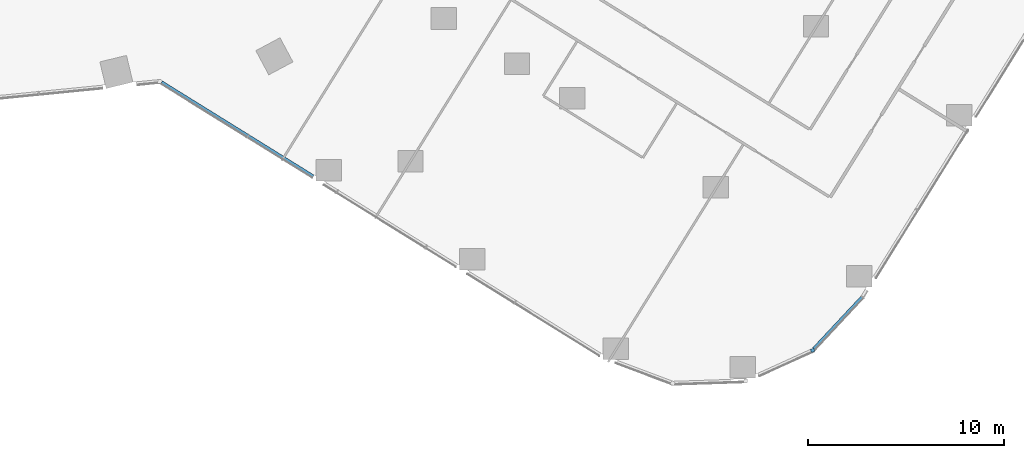
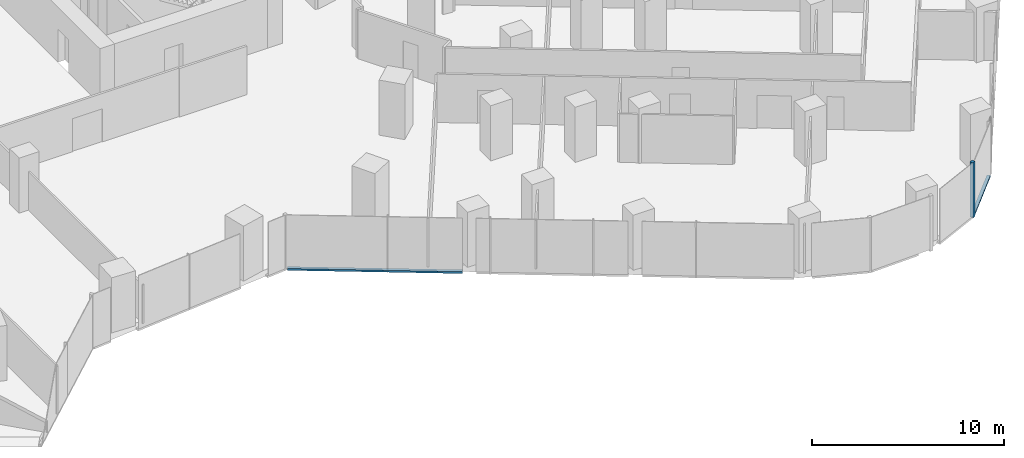
# One storey, part 8 of 33: 3 members, 3 elements without a shape of their own.
"""IFC4 building model written with IfcOpenShell, lengths in metres."""

from ifc_helpers import new_model, si_unit, direction, frame, origin, origin_2d, place, context, subcontext, project, spatial, rectangle, extrude, material, material_profile, profile_set, type_object, element, aggregate, save


model = new_model("IFC4")

# Units and contexts
model_context = context("Model", 3, precision=1e-05, world=origin(), true_north=direction((0.0, 1.0)))
body_context = subcontext(model_context, "Body", "Model", "MODEL_VIEW")
ifc_project = project(units=[si_unit("LENGTHUNIT", "METRE"), si_unit("AREAUNIT", "SQUARE_METRE"), si_unit("VOLUMEUNIT", "CUBIC_METRE"), si_unit("PLANEANGLEUNIT", "RADIAN"), si_unit("MASSUNIT", "GRAM", prefix="KILO")], contexts=[model_context])

# Site, building, storey
site_placement = place(None, origin())
site = spatial("IfcSite", under=ifc_project, at=site_placement, CompositionType="ELEMENT")
building_placement = place(site_placement, origin())
building = spatial("IfcBuilding", under=site, at=building_placement, Name="Orlundy Tower", CompositionType="ELEMENT")
storey_placement = place(building_placement, frame((0.0, 0.0, 51.300048828125)))
storey = spatial("IfcBuildingStorey", under=building, at=storey_placement, Name="L11", CompositionType="ELEMENT", Elevation=51.300048828125)

# Curtain wall, member
ifc_material_1 = material(Name="Aluminium bronze anodised", Category="aluminium")
curtain_wall_type = type_object("IfcCurtainWallType", Name="CW1 wall", PredefinedType="NOTDEFINED", material=ifc_material_1)
curtain_wall_1_placement = place(storey_placement, origin())
curtain_wall_1 = element("IfcCurtainWall", 1, at=curtain_wall_1_placement, inside=storey, type_object=curtain_wall_type, Name="CW1 run 013", PredefinedType="NOTDEFINED")
ifc_material_2 = material(Name="Aluminium bronze anodised", Category="aluminium")
ifc_material_profile_1 = material_profile(ifc_material_2, rectangle(XDim=0.179931640625, YDim=0.179931640625, at=origin_2d()), Name="CW1 corner post 180x180")
ifc_profile_set_1 = profile_set([ifc_material_profile_1], Name="Aluminium bronze anodised")
member_type_1 = type_object("IfcMemberType", Name="CW1 corner post 180x180", PredefinedType="MULLION", material=ifc_profile_set_1)
member_1_placement = place(storey_placement, frame((42.533447265625, -43.08544921875, -0.420166015625), z_axis=(0.0, 0.0, 1.0), x_axis=(0.413335357608, -0.91057887201, 0.0)))
member_1 = element("IfcMember", 2, at=member_1_placement, type_object=member_type_1, Name="CW1 mullion 41", PredefinedType="MULLION", context=body_context, shape_type="SweptSolid", body=[
    extrude(rectangle(XDim=0.179931640625, YDim=0.179931640625, at=origin_2d()), origin(), (0.0, 0.0, 1.0), 3.52001953125),
])
aggregate(curtain_wall_1, [member_1])

curtain_wall_2_placement = place(storey_placement, origin())
curtain_wall_2 = element("IfcCurtainWall", 3, at=curtain_wall_2_placement, inside=storey, type_object=curtain_wall_type, Name="CW1 run 012", PredefinedType="NOTDEFINED")
ifc_material_3 = material(Name="Aluminium bronze anodised", Category="aluminium")
ifc_material_profile_2 = material_profile(ifc_material_3, rectangle(XDim=0.179931640625, YDim=0.1201171875, at=origin_2d()), Name="CW1 transom 180x120")
ifc_profile_set_2 = profile_set([ifc_material_profile_2], Name="Aluminium bronze anodised")
member_type_2 = type_object("IfcMemberType", Name="CW1 transom 180x120", PredefinedType="USERDEFINED", material=ifc_profile_set_2)
member_2_placement = place(storey_placement, frame((45.066650390625, -40.37744140625, -0.360107421875), z_axis=(-0.683115252824, -0.730310585545, 0.0), x_axis=(0.730310585545, -0.683115252824, 0.0)))
member_2 = element("IfcMember", 4, at=member_2_placement, type_object=member_type_2, Name="CW1 transom", ObjectType="TRANSOM", PredefinedType="USERDEFINED", context=body_context, shape_type="SweptSolid", body=[
    extrude(rectangle(XDim=0.179931640625, YDim=0.1201171875, at=origin_2d()), origin(), (0.0, 0.0, 1.0), 3.61083984375),
])
aggregate(curtain_wall_2, [member_2])

curtain_wall_3_placement = place(storey_placement, origin())
curtain_wall_3 = element("IfcCurtainWall", 5, at=curtain_wall_3_placement, inside=storey, type_object=curtain_wall_type, Name="CW1 run 016", PredefinedType="NOTDEFINED")
member_3_placement = place(storey_placement, frame((17.00390625, -34.203369140625, -0.360107421875), z_axis=(-0.849588913477, 0.527445426653, 0.0), x_axis=(-0.527445426653, -0.849588913477, 0.0)))
member_3 = element("IfcMember", 6, at=member_3_placement, type_object=member_type_2, Name="CW1 transom", ObjectType="TRANSOM", PredefinedType="USERDEFINED", context=body_context, shape_type="SweptSolid", body=[
    extrude(rectangle(XDim=0.179931640625, YDim=0.1201171875, at=origin_2d()), origin(), (0.0, 0.0, 1.0), 9.126953125),
])
aggregate(curtain_wall_3, [member_3])

save(model, "model.ifc")
